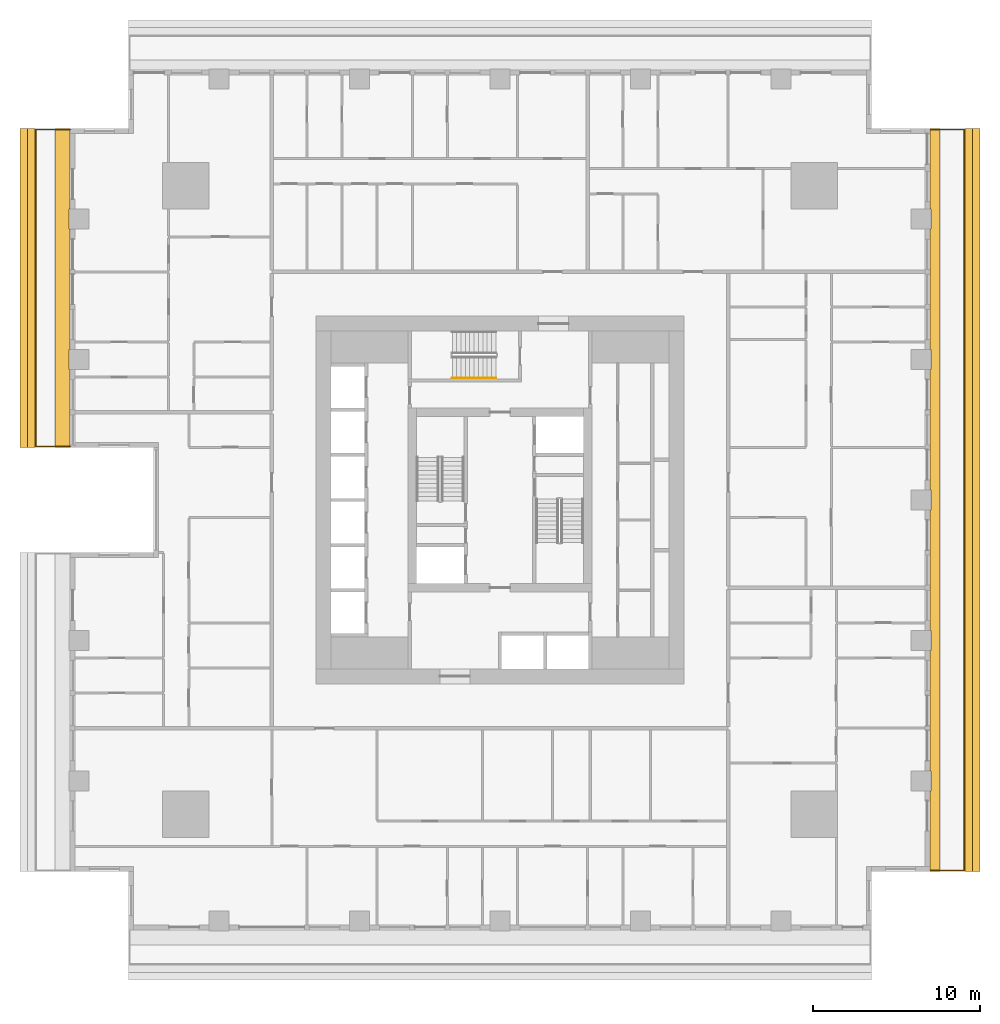
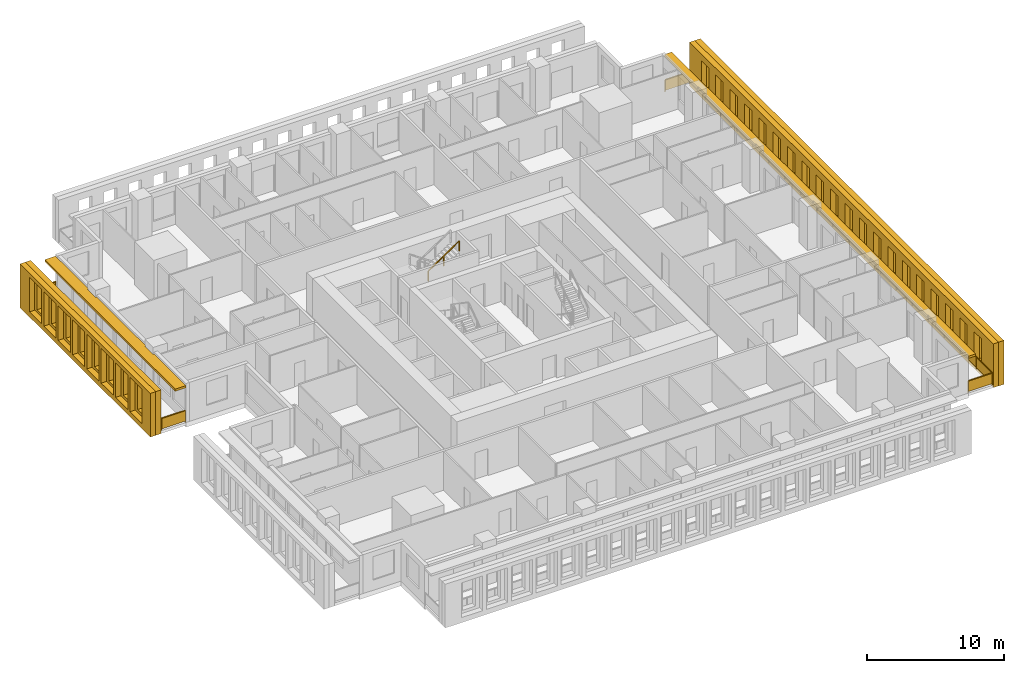
# One storey, part 13 of 15: 6 shading devices, 3 railings.
"""IFC4 building model written with IfcOpenShell, lengths in metres."""

from ifc_helpers import new_model, si_unit, direction, frame, origin, origin_2d, place, context, subcontext, project, spatial, polyline, rectangle, outline, extrude, material, layer, layer_set, type_object, element, save


model = new_model("IFC4")

# Units and contexts
model_context = context("Model", 3, precision=1e-05, world=origin(), true_north=direction((0.0, 1.0)))
body_context = subcontext(model_context, "Body", "Model", "MODEL_VIEW")
ifc_project = project(units=[si_unit("LENGTHUNIT", "METRE"), si_unit("AREAUNIT", "SQUARE_METRE"), si_unit("VOLUMEUNIT", "CUBIC_METRE"), si_unit("PLANEANGLEUNIT", "RADIAN"), si_unit("MASSUNIT", "GRAM", prefix="KILO")], contexts=[model_context])

# Site, building, storey
site_placement = place(None, origin())
site = spatial("IfcSite", under=ifc_project, at=site_placement, CompositionType="ELEMENT")
building_placement = place(site_placement, origin())
building = spatial("IfcBuilding", under=site, at=building_placement, Name="Khepri Terraces", CompositionType="ELEMENT")
storey_placement = place(building_placement, frame((0.0, 0.0, 83.10009765625)))
storey = spatial("IfcBuildingStorey", under=building, at=storey_placement, Name="L19", CompositionType="ELEMENT", Elevation=83.10009765625)

# Railings
ifc_material_1 = material(Name="Stainless steel grade 316", Category="steel")
railing_type_1 = type_object("IfcRailingType", Name="GRD-BAL-1100", PredefinedType="GUARDRAIL", material=ifc_material_1)
railing_1_placement = place(storey_placement, frame((25.719970703125, -22.169921875, 0.0)))
element("IfcRailing", 1, at=railing_1_placement, inside=storey, type_object=railing_type_1, Name="Balcony guard L19 E", PredefinedType="GUARDRAIL", context=body_context, shape_type="SweptSolid", body=[
    extrude(rectangle(XDim=0.050048828125, YDim=0.06005859375, at=origin_2d()), frame((0.0, 0.0, 1.070068359375), z_axis=(1.0, 0.0, 0.0), x_axis=(0.0, 1.0, 0.0)), (0.0, 0.0, 1.0), 2.050048828125),
    extrude(rectangle(XDim=2.0, YDim=0.011962890625, at=origin_2d()), frame((1.02490234375, 0.0, 0.10009765625), z_axis=(0.0, 0.0, 1.0), x_axis=(1.0, 0.0, 0.0)), (0.0, 0.0, 1.0), 0.93994140625),
    extrude(rectangle(XDim=0.050048828125, YDim=0.06005859375, at=origin_2d()), frame((2.050048828125, 0.0, 1.070068359375), z_axis=(0.0, 1.0, 0.0), x_axis=(-1.0, 0.0, 0.0)), (0.0, 0.0, 1.0), 44.33984375),
    extrude(rectangle(XDim=2.28369140625, YDim=0.011962890625, at=origin_2d()), frame((2.050048828125, 1.166748046875, 0.10009765625), z_axis=(0.0, 0.0, 1.0), x_axis=(0.0, 1.0, 0.0)), (0.0, 0.0, 1.0), 0.93994140625),
    extrude(rectangle(XDim=2.28369140625, YDim=0.011962890625, at=origin_2d()), frame((2.050048828125, 3.50048828125, 0.10009765625), z_axis=(0.0, 0.0, 1.0), x_axis=(0.0, 1.0, 0.0)), (0.0, 0.0, 1.0), 0.93994140625),
    extrude(rectangle(XDim=2.28369140625, YDim=0.011962890625, at=origin_2d()), frame((2.050048828125, 5.834228515625, 0.10009765625), z_axis=(0.0, 0.0, 1.0), x_axis=(0.0, 1.0, 0.0)), (0.0, 0.0, 1.0), 0.93994140625),
    extrude(rectangle(XDim=2.28369140625, YDim=0.011962890625, at=origin_2d()), frame((2.050048828125, 8.16796875, 0.10009765625), z_axis=(0.0, 0.0, 1.0), x_axis=(0.0, 1.0, 0.0)), (0.0, 0.0, 1.0), 0.93994140625),
    extrude(rectangle(XDim=2.28369140625, YDim=0.011962890625, at=origin_2d()), frame((2.050048828125, 10.50146484375, 0.10009765625), z_axis=(0.0, 0.0, 1.0), x_axis=(0.0, 1.0, 0.0)), (0.0, 0.0, 1.0), 0.93994140625),
    extrude(rectangle(XDim=2.28369140625, YDim=0.011962890625, at=origin_2d()), frame((2.050048828125, 12.835205078125, 0.10009765625), z_axis=(0.0, 0.0, 1.0), x_axis=(0.0, 1.0, 0.0)), (0.0, 0.0, 1.0), 0.93994140625),
    extrude(rectangle(XDim=2.28369140625, YDim=0.011962890625, at=origin_2d()), frame((2.050048828125, 15.1689453125, 0.10009765625), z_axis=(0.0, 0.0, 1.0), x_axis=(0.0, 1.0, 0.0)), (0.0, 0.0, 1.0), 0.93994140625),
    extrude(rectangle(XDim=2.28369140625, YDim=0.011962890625, at=origin_2d()), frame((2.050048828125, 17.502685546875, 0.10009765625), z_axis=(0.0, 0.0, 1.0), x_axis=(0.0, 1.0, 0.0)), (0.0, 0.0, 1.0), 0.93994140625),
    extrude(rectangle(XDim=2.28369140625, YDim=0.011962890625, at=origin_2d()), frame((2.050048828125, 19.836181640625, 0.10009765625), z_axis=(0.0, 0.0, 1.0), x_axis=(0.0, 1.0, 0.0)), (0.0, 0.0, 1.0), 0.93994140625),
    extrude(rectangle(XDim=2.28369140625, YDim=0.011962890625, at=origin_2d()), frame((2.050048828125, 22.169921875, 0.10009765625), z_axis=(0.0, 0.0, 1.0), x_axis=(0.0, 1.0, 0.0)), (0.0, 0.0, 1.0), 0.93994140625),
    extrude(rectangle(XDim=2.28369140625, YDim=0.011962890625, at=origin_2d()), frame((2.050048828125, 24.503662109375, 0.10009765625), z_axis=(0.0, 0.0, 1.0), x_axis=(0.0, 1.0, 0.0)), (0.0, 0.0, 1.0), 0.93994140625),
    extrude(rectangle(XDim=2.28369140625, YDim=0.011962890625, at=origin_2d()), frame((2.050048828125, 26.837158203125, 0.10009765625), z_axis=(0.0, 0.0, 1.0), x_axis=(0.0, 1.0, 0.0)), (0.0, 0.0, 1.0), 0.93994140625),
    extrude(rectangle(XDim=2.28369140625, YDim=0.011962890625, at=origin_2d()), frame((2.050048828125, 29.1708984375, 0.10009765625), z_axis=(0.0, 0.0, 1.0), x_axis=(0.0, 1.0, 0.0)), (0.0, 0.0, 1.0), 0.93994140625),
    extrude(rectangle(XDim=2.28369140625, YDim=0.011962890625, at=origin_2d()), frame((2.050048828125, 31.504638671875, 0.10009765625), z_axis=(0.0, 0.0, 1.0), x_axis=(0.0, 1.0, 0.0)), (0.0, 0.0, 1.0), 0.93994140625),
    extrude(rectangle(XDim=2.28369140625, YDim=0.011962890625, at=origin_2d()), frame((2.050048828125, 33.83837890625, 0.10009765625), z_axis=(0.0, 0.0, 1.0), x_axis=(0.0, 1.0, 0.0)), (0.0, 0.0, 1.0), 0.93994140625),
    extrude(rectangle(XDim=2.28369140625, YDim=0.011962890625, at=origin_2d()), frame((2.050048828125, 36.171875, 0.10009765625), z_axis=(0.0, 0.0, 1.0), x_axis=(0.0, 1.0, 0.0)), (0.0, 0.0, 1.0), 0.93994140625),
    extrude(rectangle(XDim=2.28369140625, YDim=0.011962890625, at=origin_2d()), frame((2.050048828125, 38.505615234375, 0.10009765625), z_axis=(0.0, 0.0, 1.0), x_axis=(0.0, 1.0, 0.0)), (0.0, 0.0, 1.0), 0.93994140625),
    extrude(rectangle(XDim=2.28369140625, YDim=0.011962890625, at=origin_2d()), frame((2.050048828125, 40.83935546875, 0.10009765625), z_axis=(0.0, 0.0, 1.0), x_axis=(0.0, 1.0, 0.0)), (0.0, 0.0, 1.0), 0.93994140625),
    extrude(rectangle(XDim=2.28369140625, YDim=0.011962890625, at=origin_2d()), frame((2.050048828125, 43.173095703125, 0.10009765625), z_axis=(0.0, 0.0, 1.0), x_axis=(0.0, 1.0, 0.0)), (0.0, 0.0, 1.0), 0.93994140625),
    extrude(rectangle(XDim=0.050048828125, YDim=0.06005859375, at=origin_2d()), frame((2.050048828125, 44.33984375, 1.070068359375), z_axis=(-1.0, 0.0, 0.0), x_axis=(0.0, -1.0, 0.0)), (0.0, 0.0, 1.0), 2.050048828125),
    extrude(rectangle(XDim=2.0, YDim=0.011962890625, at=origin_2d()), frame((1.02490234375, 44.33984375, 0.10009765625), z_axis=(0.0, 0.0, 1.0), x_axis=(-1.0, 0.0, 0.0)), (0.0, 0.0, 1.0), 0.93994140625),
    extrude(rectangle(XDim=0.050048828125, YDim=0.050048828125, at=origin_2d()), origin(), (0.0, 0.0, 1.0), 1.0400390625),
    extrude(rectangle(XDim=0.050048828125, YDim=0.050048828125, at=origin_2d()), frame((2.050048828125, 0.0, 0.0)), (0.0, 0.0, 1.0), 1.0400390625),
    extrude(rectangle(XDim=0.050048828125, YDim=0.050048828125, at=origin_2d()), frame((2.050048828125, 2.333740234375, 0.0)), (0.0, 0.0, 1.0), 1.0400390625),
    extrude(rectangle(XDim=0.050048828125, YDim=0.050048828125, at=origin_2d()), frame((2.050048828125, 4.667236328125, 0.0)), (0.0, 0.0, 1.0), 1.0400390625),
    extrude(rectangle(XDim=0.050048828125, YDim=0.050048828125, at=origin_2d()), frame((2.050048828125, 7.0009765625, 0.0)), (0.0, 0.0, 1.0), 1.0400390625),
    extrude(rectangle(XDim=0.050048828125, YDim=0.050048828125, at=origin_2d()), frame((2.050048828125, 9.334716796875, 0.0)), (0.0, 0.0, 1.0), 1.0400390625),
    extrude(rectangle(XDim=0.050048828125, YDim=0.050048828125, at=origin_2d()), frame((2.050048828125, 11.66845703125, 0.0)), (0.0, 0.0, 1.0), 1.0400390625),
    extrude(rectangle(XDim=0.050048828125, YDim=0.050048828125, at=origin_2d()), frame((2.050048828125, 14.001953125, 0.0)), (0.0, 0.0, 1.0), 1.0400390625),
    extrude(rectangle(XDim=0.050048828125, YDim=0.050048828125, at=origin_2d()), frame((2.050048828125, 16.335693359375, 0.0)), (0.0, 0.0, 1.0), 1.0400390625),
    extrude(rectangle(XDim=0.050048828125, YDim=0.050048828125, at=origin_2d()), frame((2.050048828125, 18.66943359375, 0.0)), (0.0, 0.0, 1.0), 1.0400390625),
    extrude(rectangle(XDim=0.050048828125, YDim=0.050048828125, at=origin_2d()), frame((2.050048828125, 21.003173828125, 0.0)), (0.0, 0.0, 1.0), 1.0400390625),
    extrude(rectangle(XDim=0.050048828125, YDim=0.050048828125, at=origin_2d()), frame((2.050048828125, 23.336669921875, 0.0)), (0.0, 0.0, 1.0), 1.0400390625),
    extrude(rectangle(XDim=0.050048828125, YDim=0.050048828125, at=origin_2d()), frame((2.050048828125, 25.67041015625, 0.0)), (0.0, 0.0, 1.0), 1.0400390625),
    extrude(rectangle(XDim=0.050048828125, YDim=0.050048828125, at=origin_2d()), frame((2.050048828125, 28.004150390625, 0.0)), (0.0, 0.0, 1.0), 1.0400390625),
    extrude(rectangle(XDim=0.050048828125, YDim=0.050048828125, at=origin_2d()), frame((2.050048828125, 30.337890625, 0.0)), (0.0, 0.0, 1.0), 1.0400390625),
    extrude(rectangle(XDim=0.050048828125, YDim=0.050048828125, at=origin_2d()), frame((2.050048828125, 32.67138671875, 0.0)), (0.0, 0.0, 1.0), 1.0400390625),
    extrude(rectangle(XDim=0.050048828125, YDim=0.050048828125, at=origin_2d()), frame((2.050048828125, 35.005126953125, 0.0)), (0.0, 0.0, 1.0), 1.0400390625),
    extrude(rectangle(XDim=0.050048828125, YDim=0.050048828125, at=origin_2d()), frame((2.050048828125, 37.3388671875, 0.0)), (0.0, 0.0, 1.0), 1.0400390625),
    extrude(rectangle(XDim=0.050048828125, YDim=0.050048828125, at=origin_2d()), frame((2.050048828125, 39.672607421875, 0.0)), (0.0, 0.0, 1.0), 1.0400390625),
    extrude(rectangle(XDim=0.050048828125, YDim=0.050048828125, at=origin_2d()), frame((2.050048828125, 42.006103515625, 0.0)), (0.0, 0.0, 1.0), 1.0400390625),
    extrude(rectangle(XDim=0.050048828125, YDim=0.050048828125, at=origin_2d()), frame((2.050048828125, 44.33984375, 0.0)), (0.0, 0.0, 1.0), 1.0400390625),
    extrude(rectangle(XDim=0.050048828125, YDim=0.050048828125, at=origin_2d()), frame((0.0, 44.33984375, 0.0)), (0.0, 0.0, 1.0), 1.0400390625),
])
railing_2_placement = place(storey_placement, frame((-25.719970703125, 22.169921875, 0.0)))
element("IfcRailing", 2, at=railing_2_placement, inside=storey, type_object=railing_type_1, Name="Balcony guard L19 W", PredefinedType="GUARDRAIL", context=body_context, shape_type="SweptSolid", body=[
    extrude(rectangle(XDim=0.050048828125, YDim=0.06005859375, at=origin_2d()), frame((0.0, 0.0, 1.070068359375), z_axis=(-1.0, 0.0, 0.0), x_axis=(0.0, -1.0, 0.0)), (0.0, 0.0, 1.0), 2.050048828125),
    extrude(rectangle(XDim=2.0, YDim=0.011962890625, at=origin_2d()), frame((-1.02490234375, 0.0, 0.10009765625), z_axis=(0.0, 0.0, 1.0), x_axis=(-1.0, 0.0, 0.0)), (0.0, 0.0, 1.0), 0.93994140625),
    extrude(rectangle(XDim=0.050048828125, YDim=0.06005859375, at=origin_2d()), frame((-2.050048828125, 0.0, 1.070068359375), z_axis=(0.0, -1.0, 0.0), x_axis=(1.0, 0.0, 0.0)), (0.0, 0.0, 1.0), 18.969970703125),
    extrude(rectangle(XDim=2.3212890625, YDim=0.011962890625, at=origin_2d()), frame((-2.050048828125, -1.185546875, 0.10009765625), z_axis=(0.0, 0.0, 1.0), x_axis=(0.0, -1.0, 0.0)), (0.0, 0.0, 1.0), 0.93994140625),
    extrude(rectangle(XDim=2.3212890625, YDim=0.011962890625, at=origin_2d()), frame((-2.050048828125, -3.556884765625, 0.10009765625), z_axis=(0.0, 0.0, 1.0), x_axis=(0.0, -1.0, 0.0)), (0.0, 0.0, 1.0), 0.93994140625),
    extrude(rectangle(XDim=2.3212890625, YDim=0.011962890625, at=origin_2d()), frame((-2.050048828125, -5.92822265625, 0.10009765625), z_axis=(0.0, 0.0, 1.0), x_axis=(0.0, -1.0, 0.0)), (0.0, 0.0, 1.0), 0.93994140625),
    extrude(rectangle(XDim=2.3212890625, YDim=0.011962890625, at=origin_2d()), frame((-2.050048828125, -8.29931640625, 0.10009765625), z_axis=(0.0, 0.0, 1.0), x_axis=(0.0, -1.0, 0.0)), (0.0, 0.0, 1.0), 0.93994140625),
    extrude(rectangle(XDim=2.3212890625, YDim=0.011962890625, at=origin_2d()), frame((-2.050048828125, -10.670654296875, 0.10009765625), z_axis=(0.0, 0.0, 1.0), x_axis=(0.0, -1.0, 0.0)), (0.0, 0.0, 1.0), 0.93994140625),
    extrude(rectangle(XDim=2.3212890625, YDim=0.011962890625, at=origin_2d()), frame((-2.050048828125, -13.041748046875, 0.10009765625), z_axis=(0.0, 0.0, 1.0), x_axis=(0.0, -1.0, 0.0)), (0.0, 0.0, 1.0), 0.93994140625),
    extrude(rectangle(XDim=2.3212890625, YDim=0.011962890625, at=origin_2d()), frame((-2.050048828125, -15.4130859375, 0.10009765625), z_axis=(0.0, 0.0, 1.0), x_axis=(0.0, -1.0, 0.0)), (0.0, 0.0, 1.0), 0.93994140625),
    extrude(rectangle(XDim=2.3212890625, YDim=0.011962890625, at=origin_2d()), frame((-2.050048828125, -17.784423828125, 0.10009765625), z_axis=(0.0, 0.0, 1.0), x_axis=(0.0, -1.0, 0.0)), (0.0, 0.0, 1.0), 0.93994140625),
    extrude(rectangle(XDim=0.050048828125, YDim=0.06005859375, at=origin_2d()), frame((-2.050048828125, -18.969970703125, 1.070068359375), z_axis=(1.0, 0.0, 0.0), x_axis=(0.0, 1.0, 0.0)), (0.0, 0.0, 1.0), 2.050048828125),
    extrude(rectangle(XDim=2.0, YDim=0.011962890625, at=origin_2d()), frame((-1.02490234375, -18.969970703125, 0.10009765625), z_axis=(0.0, 0.0, 1.0), x_axis=(1.0, 0.0, 0.0)), (0.0, 0.0, 1.0), 0.93994140625),
    extrude(rectangle(XDim=0.050048828125, YDim=0.050048828125, at=origin_2d()), origin(), (0.0, 0.0, 1.0), 1.0400390625),
    extrude(rectangle(XDim=0.050048828125, YDim=0.050048828125, at=origin_2d()), frame((-2.050048828125, 0.0, 0.0)), (0.0, 0.0, 1.0), 1.0400390625),
    extrude(rectangle(XDim=0.050048828125, YDim=0.050048828125, at=origin_2d()), frame((-2.050048828125, -2.371337890625, 0.0)), (0.0, 0.0, 1.0), 1.0400390625),
    extrude(rectangle(XDim=0.050048828125, YDim=0.050048828125, at=origin_2d()), frame((-2.050048828125, -4.742431640625, 0.0)), (0.0, 0.0, 1.0), 1.0400390625),
    extrude(rectangle(XDim=0.050048828125, YDim=0.050048828125, at=origin_2d()), frame((-2.050048828125, -7.11376953125, 0.0)), (0.0, 0.0, 1.0), 1.0400390625),
    extrude(rectangle(XDim=0.050048828125, YDim=0.050048828125, at=origin_2d()), frame((-2.050048828125, -9.48486328125, 0.0)), (0.0, 0.0, 1.0), 1.0400390625),
    extrude(rectangle(XDim=0.050048828125, YDim=0.050048828125, at=origin_2d()), frame((-2.050048828125, -11.856201171875, 0.0)), (0.0, 0.0, 1.0), 1.0400390625),
    extrude(rectangle(XDim=0.050048828125, YDim=0.050048828125, at=origin_2d()), frame((-2.050048828125, -14.2275390625, 0.0)), (0.0, 0.0, 1.0), 1.0400390625),
    extrude(rectangle(XDim=0.050048828125, YDim=0.050048828125, at=origin_2d()), frame((-2.050048828125, -16.5986328125, 0.0)), (0.0, 0.0, 1.0), 1.0400390625),
    extrude(rectangle(XDim=0.050048828125, YDim=0.050048828125, at=origin_2d()), frame((-2.050048828125, -18.969970703125, 0.0)), (0.0, 0.0, 1.0), 1.0400390625),
    extrude(rectangle(XDim=0.050048828125, YDim=0.050048828125, at=origin_2d()), frame((0.0, -18.969970703125, 0.0)), (0.0, 0.0, 1.0), 1.0400390625),
])
ifc_material_2 = material(Name="Stainless steel 316", Category="steel")
railing_type_2 = type_object("IfcRailingType", Name="RL-CORE-HANDRAIL", PredefinedType="HANDRAIL", material=ifc_material_2)
railing_3_placement = place(storey_placement, frame((-2.85009765625, 7.300048828125, 2.127197265625)))
element("IfcRailing", 3, at=railing_3_placement, inside=storey, type_object=railing_type_2, Name="L19 ST-3 stair handrail 2", PredefinedType="HANDRAIL", context=body_context, shape_type="SweptSolid", body=[
    extrude(rectangle(XDim=0.050048828125, YDim=0.050048828125, at=origin_2d()), frame((0.0, 0.0, 0.875), z_axis=(0.826240473404, 0.0, 0.563317565952), x_axis=(0.0, 1.0, 0.0)), (0.0, 0.0, 1.0), 3.14697265625),
    extrude(rectangle(XDim=0.050048828125, YDim=0.050048828125, at=origin_2d()), origin(), (0.0, 0.0, 1.0), 0.849853515625),
    extrude(rectangle(XDim=0.050048828125, YDim=0.050048828125, at=origin_2d()), frame((1.300048828125, 0.0, 0.88623046875)), (0.0, 0.0, 1.0), 0.849853515625),
    extrude(rectangle(XDim=0.050048828125, YDim=0.050048828125, at=origin_2d()), frame((2.60009765625, 0.0, 1.772705078125)), (0.0, 0.0, 1.0), 0.849853515625),
])

# Shading devices
ifc_material_3 = material(Name="Precast concrete C50/60 warm stone", Category="masonry")
shading_device_type_1 = type_object("IfcShadingDeviceType", Name="SCR-CELL-INNER-450", PredefinedType="USERDEFINED", material=ifc_material_3)
shading_device_1_placement = place(storey_placement, frame((27.820068359375, -22.219970703125, -0.25), z_axis=(1.0, 0.0, 0.0), x_axis=(0.0, 1.0, 0.0)))
element("IfcShadingDevice", 4, at=shading_device_1_placement, inside=storey, type_object=shading_device_type_1, Name="Cell screen L19 E in", ObjectType="SCREEN", PredefinedType="USERDEFINED", context=body_context, shape_type="SweptSolid", body=[
    extrude(outline(polyline([(0.0, 0.0), (44.43994140625, 0.0), (44.43994140625, 3.89990234375), (0.0, 3.89990234375), (0.0, 0.0)]), holes=[polyline([(1.7265625, 0.699951171875), (2.8134765625, 0.699951171875), (2.8134765625, 3.300048828125), (1.7265625, 3.300048828125), (1.7265625, 0.699951171875)]), polyline([(3.82666015625, 0.699951171875), (4.913330078125, 0.699951171875), (4.913330078125, 3.300048828125), (3.82666015625, 3.300048828125), (3.82666015625, 0.699951171875)]), polyline([(5.926513671875, 0.699951171875), (7.013427734375, 0.699951171875), (7.013427734375, 3.300048828125), (5.926513671875, 3.300048828125), (5.926513671875, 0.699951171875)]), polyline([(8.026611328125, 0.699951171875), (9.11328125, 0.699951171875), (9.11328125, 3.300048828125), (8.026611328125, 3.300048828125), (8.026611328125, 0.699951171875)]), polyline([(10.126708984375, 0.699951171875), (11.21337890625, 0.699951171875), (11.21337890625, 3.300048828125), (10.126708984375, 3.300048828125), (10.126708984375, 0.699951171875)]), polyline([(12.2265625, 0.699951171875), (13.3134765625, 0.699951171875), (13.3134765625, 3.300048828125), (12.2265625, 3.300048828125), (12.2265625, 0.699951171875)]), polyline([(14.32666015625, 0.699951171875), (15.413330078125, 0.699951171875), (15.413330078125, 3.300048828125), (14.32666015625, 3.300048828125), (14.32666015625, 0.699951171875)]), polyline([(16.426513671875, 0.699951171875), (17.513427734375, 0.699951171875), (17.513427734375, 3.300048828125), (16.426513671875, 3.300048828125), (16.426513671875, 0.699951171875)]), polyline([(18.526611328125, 0.699951171875), (19.61328125, 0.699951171875), (19.61328125, 3.300048828125), (18.526611328125, 3.300048828125), (18.526611328125, 0.699951171875)]), polyline([(20.626708984375, 0.699951171875), (21.71337890625, 0.699951171875), (21.71337890625, 3.300048828125), (20.626708984375, 3.300048828125), (20.626708984375, 0.699951171875)]), polyline([(22.7265625, 0.699951171875), (23.8134765625, 0.699951171875), (23.8134765625, 3.300048828125), (22.7265625, 3.300048828125), (22.7265625, 0.699951171875)]), polyline([(24.82666015625, 0.699951171875), (25.913330078125, 0.699951171875), (25.913330078125, 3.300048828125), (24.82666015625, 3.300048828125), (24.82666015625, 0.699951171875)]), polyline([(26.926513671875, 0.699951171875), (28.013427734375, 0.699951171875), (28.013427734375, 3.300048828125), (26.926513671875, 3.300048828125), (26.926513671875, 0.699951171875)]), polyline([(29.026611328125, 0.699951171875), (30.11328125, 0.699951171875), (30.11328125, 3.300048828125), (29.026611328125, 3.300048828125), (29.026611328125, 0.699951171875)]), polyline([(31.126708984375, 0.699951171875), (32.21337890625, 0.699951171875), (32.21337890625, 3.300048828125), (31.126708984375, 3.300048828125), (31.126708984375, 0.699951171875)]), polyline([(33.2265625, 0.699951171875), (34.3134765625, 0.699951171875), (34.3134765625, 3.300048828125), (33.2265625, 3.300048828125), (33.2265625, 0.699951171875)]), polyline([(35.32666015625, 0.699951171875), (36.413330078125, 0.699951171875), (36.413330078125, 3.300048828125), (35.32666015625, 3.300048828125), (35.32666015625, 0.699951171875)]), polyline([(37.426513671875, 0.699951171875), (38.513427734375, 0.699951171875), (38.513427734375, 3.300048828125), (37.426513671875, 3.300048828125), (37.426513671875, 0.699951171875)]), polyline([(39.526611328125, 0.699951171875), (40.61328125, 0.699951171875), (40.61328125, 3.300048828125), (39.526611328125, 3.300048828125), (39.526611328125, 0.699951171875)]), polyline([(41.626708984375, 0.699951171875), (42.71337890625, 0.699951171875), (42.71337890625, 3.300048828125), (41.626708984375, 3.300048828125), (41.626708984375, 0.699951171875)])]), origin(), (0.0, 0.0, 1.0), 0.449951171875),
])
shading_device_2_placement = place(storey_placement, frame((-27.820068359375, 22.219970703125, -0.25), z_axis=(-1.0, 0.0, 0.0), x_axis=(0.0, -1.0, 0.0)))
element("IfcShadingDevice", 5, at=shading_device_2_placement, inside=storey, type_object=shading_device_type_1, Name="Cell screen L19 W in", ObjectType="SCREEN", PredefinedType="USERDEFINED", context=body_context, shape_type="SweptSolid", body=[
    extrude(outline(polyline([(0.0, 0.0), (19.070068359375, 0.0), (19.070068359375, 3.89990234375), (0.0, 3.89990234375), (0.0, 0.0)]), holes=[polyline([(1.7265625, 0.699951171875), (2.8134765625, 0.699951171875), (2.8134765625, 3.300048828125), (1.7265625, 3.300048828125), (1.7265625, 0.699951171875)]), polyline([(3.82666015625, 0.699951171875), (4.913330078125, 0.699951171875), (4.913330078125, 3.300048828125), (3.82666015625, 3.300048828125), (3.82666015625, 0.699951171875)]), polyline([(5.926513671875, 0.699951171875), (7.013427734375, 0.699951171875), (7.013427734375, 3.300048828125), (5.926513671875, 3.300048828125), (5.926513671875, 0.699951171875)]), polyline([(8.026611328125, 0.699951171875), (9.11328125, 0.699951171875), (9.11328125, 3.300048828125), (8.026611328125, 3.300048828125), (8.026611328125, 0.699951171875)]), polyline([(10.126708984375, 0.699951171875), (11.21337890625, 0.699951171875), (11.21337890625, 3.300048828125), (10.126708984375, 3.300048828125), (10.126708984375, 0.699951171875)]), polyline([(12.2265625, 0.699951171875), (13.3134765625, 0.699951171875), (13.3134765625, 3.300048828125), (12.2265625, 3.300048828125), (12.2265625, 0.699951171875)]), polyline([(14.32666015625, 0.699951171875), (15.413330078125, 0.699951171875), (15.413330078125, 3.300048828125), (14.32666015625, 3.300048828125), (14.32666015625, 0.699951171875)]), polyline([(16.426513671875, 0.699951171875), (17.513427734375, 0.699951171875), (17.513427734375, 3.300048828125), (16.426513671875, 3.300048828125), (16.426513671875, 0.699951171875)])]), origin(), (0.0, 0.0, 1.0), 0.449951171875),
])
shading_device_type_2 = type_object("IfcShadingDeviceType", Name="SCR-CELL-OUTER-450", PredefinedType="USERDEFINED", material=ifc_material_3)
shading_device_3_placement = place(storey_placement, frame((28.27001953125, -22.219970703125, -0.25), z_axis=(1.0, 0.0, 0.0), x_axis=(0.0, 1.0, 0.0)))
element("IfcShadingDevice", 6, at=shading_device_3_placement, inside=storey, type_object=shading_device_type_2, Name="Cell screen L19 E out", ObjectType="SCREEN", PredefinedType="USERDEFINED", context=body_context, shape_type="SweptSolid", body=[
    extrude(outline(polyline([(0.0, 0.0), (44.43994140625, 0.0), (44.43994140625, 3.89990234375), (0.0, 3.89990234375), (0.0, 0.0)]), holes=[polyline([(1.376708984375, 0.449951171875), (3.163330078125, 0.449951171875), (3.163330078125, 3.550048828125), (1.376708984375, 3.550048828125), (1.376708984375, 0.449951171875)]), polyline([(3.4765625, 0.449951171875), (5.263427734375, 0.449951171875), (5.263427734375, 3.550048828125), (3.4765625, 3.550048828125), (3.4765625, 0.449951171875)]), polyline([(5.57666015625, 0.449951171875), (7.36328125, 0.449951171875), (7.36328125, 3.550048828125), (5.57666015625, 3.550048828125), (5.57666015625, 0.449951171875)]), polyline([(7.676513671875, 0.449951171875), (9.46337890625, 0.449951171875), (9.46337890625, 3.550048828125), (7.676513671875, 3.550048828125), (7.676513671875, 0.449951171875)]), polyline([(9.776611328125, 0.449951171875), (11.5634765625, 0.449951171875), (11.5634765625, 3.550048828125), (9.776611328125, 3.550048828125), (9.776611328125, 0.449951171875)]), polyline([(11.876708984375, 0.449951171875), (13.663330078125, 0.449951171875), (13.663330078125, 3.550048828125), (11.876708984375, 3.550048828125), (11.876708984375, 0.449951171875)]), polyline([(13.9765625, 0.449951171875), (15.763427734375, 0.449951171875), (15.763427734375, 3.550048828125), (13.9765625, 3.550048828125), (13.9765625, 0.449951171875)]), polyline([(16.07666015625, 0.449951171875), (17.86328125, 0.449951171875), (17.86328125, 3.550048828125), (16.07666015625, 3.550048828125), (16.07666015625, 0.449951171875)]), polyline([(18.176513671875, 0.449951171875), (19.96337890625, 0.449951171875), (19.96337890625, 3.550048828125), (18.176513671875, 3.550048828125), (18.176513671875, 0.449951171875)]), polyline([(20.276611328125, 0.449951171875), (22.0634765625, 0.449951171875), (22.0634765625, 3.550048828125), (20.276611328125, 3.550048828125), (20.276611328125, 0.449951171875)]), polyline([(22.376708984375, 0.449951171875), (24.163330078125, 0.449951171875), (24.163330078125, 3.550048828125), (22.376708984375, 3.550048828125), (22.376708984375, 0.449951171875)]), polyline([(24.4765625, 0.449951171875), (26.263427734375, 0.449951171875), (26.263427734375, 3.550048828125), (24.4765625, 3.550048828125), (24.4765625, 0.449951171875)]), polyline([(26.57666015625, 0.449951171875), (28.36328125, 0.449951171875), (28.36328125, 3.550048828125), (26.57666015625, 3.550048828125), (26.57666015625, 0.449951171875)]), polyline([(28.676513671875, 0.449951171875), (30.46337890625, 0.449951171875), (30.46337890625, 3.550048828125), (28.676513671875, 3.550048828125), (28.676513671875, 0.449951171875)]), polyline([(30.776611328125, 0.449951171875), (32.5634765625, 0.449951171875), (32.5634765625, 3.550048828125), (30.776611328125, 3.550048828125), (30.776611328125, 0.449951171875)]), polyline([(32.876708984375, 0.449951171875), (34.663330078125, 0.449951171875), (34.663330078125, 3.550048828125), (32.876708984375, 3.550048828125), (32.876708984375, 0.449951171875)]), polyline([(34.9765625, 0.449951171875), (36.763427734375, 0.449951171875), (36.763427734375, 3.550048828125), (34.9765625, 3.550048828125), (34.9765625, 0.449951171875)]), polyline([(37.07666015625, 0.449951171875), (38.86328125, 0.449951171875), (38.86328125, 3.550048828125), (37.07666015625, 3.550048828125), (37.07666015625, 0.449951171875)]), polyline([(39.176513671875, 0.449951171875), (40.96337890625, 0.449951171875), (40.96337890625, 3.550048828125), (39.176513671875, 3.550048828125), (39.176513671875, 0.449951171875)]), polyline([(41.276611328125, 0.449951171875), (43.0634765625, 0.449951171875), (43.0634765625, 3.550048828125), (41.276611328125, 3.550048828125), (41.276611328125, 0.449951171875)])]), origin(), (0.0, 0.0, 1.0), 0.449951171875),
])
shading_device_4_placement = place(storey_placement, frame((-28.27001953125, 22.219970703125, -0.25), z_axis=(-1.0, 0.0, 0.0), x_axis=(0.0, -1.0, 0.0)))
element("IfcShadingDevice", 7, at=shading_device_4_placement, inside=storey, type_object=shading_device_type_2, Name="Cell screen L19 W out", ObjectType="SCREEN", PredefinedType="USERDEFINED", context=body_context, shape_type="SweptSolid", body=[
    extrude(outline(polyline([(0.0, 0.0), (19.070068359375, 0.0), (19.070068359375, 3.89990234375), (0.0, 3.89990234375), (0.0, 0.0)]), holes=[polyline([(1.376708984375, 0.449951171875), (3.163330078125, 0.449951171875), (3.163330078125, 3.550048828125), (1.376708984375, 3.550048828125), (1.376708984375, 0.449951171875)]), polyline([(3.4765625, 0.449951171875), (5.263427734375, 0.449951171875), (5.263427734375, 3.550048828125), (3.4765625, 3.550048828125), (3.4765625, 0.449951171875)]), polyline([(5.57666015625, 0.449951171875), (7.36328125, 0.449951171875), (7.36328125, 3.550048828125), (5.57666015625, 3.550048828125), (5.57666015625, 0.449951171875)]), polyline([(7.676513671875, 0.449951171875), (9.46337890625, 0.449951171875), (9.46337890625, 3.550048828125), (7.676513671875, 3.550048828125), (7.676513671875, 0.449951171875)]), polyline([(9.776611328125, 0.449951171875), (11.5634765625, 0.449951171875), (11.5634765625, 3.550048828125), (9.776611328125, 3.550048828125), (9.776611328125, 0.449951171875)]), polyline([(11.876708984375, 0.449951171875), (13.663330078125, 0.449951171875), (13.663330078125, 3.550048828125), (11.876708984375, 3.550048828125), (11.876708984375, 0.449951171875)]), polyline([(13.9765625, 0.449951171875), (15.763427734375, 0.449951171875), (15.763427734375, 3.550048828125), (13.9765625, 3.550048828125), (13.9765625, 0.449951171875)]), polyline([(16.07666015625, 0.449951171875), (17.86328125, 0.449951171875), (17.86328125, 3.550048828125), (16.07666015625, 3.550048828125), (16.07666015625, 0.449951171875)])]), origin(), (0.0, 0.0, 1.0), 0.449951171875),
])
ifc_layer_1 = layer(ifc_material_3, 0.199951171875, Name="Precast concrete C50/60 warm stone", Category="masonry")
ifc_layer_set_1 = layer_set([ifc_layer_1], Name="Precast concrete C50/60 warm stone")
shading_device_type_3 = type_object("IfcShadingDeviceType", Name="SSH-BAND-STONE-200", PredefinedType="USERDEFINED", material=ifc_layer_set_1)
shading_device_5_placement = place(storey_placement, frame((0.0, 0.0, 3.099853515625)))
element("IfcShadingDevice", 8, at=shading_device_5_placement, inside=storey, type_object=shading_device_type_3, Name="Sunshade band L19 W", ObjectType="SUNSHADE", PredefinedType="USERDEFINED", context=body_context, shape_type="SweptSolid", body=[
    extrude(outline(polyline([(-25.719970703125, 17.39990234375), (-25.719970703125, 22.219970703125), (-26.6201171875, 22.219970703125), (-26.6201171875, 3.14990234375), (-25.719970703125, 3.14990234375), (-25.719970703125, 7.800048828125), (-25.800048828125, 7.800048828125), (-25.800048828125, 9.0), (-25.719970703125, 9.0), (-25.719970703125, 16.199951171875), (-25.800048828125, 16.199951171875), (-25.800048828125, 17.39990234375), (-25.719970703125, 17.39990234375)])), origin(), (0.0, 0.0, 1.0), 0.199951171875),
])
ifc_layer_2 = layer(ifc_material_3, 0.199951171875, Name="Precast concrete C50/60 warm stone", Category="masonry")
ifc_layer_set_2 = layer_set([ifc_layer_2], Name="Precast concrete C50/60 warm stone")
shading_device_type_4 = type_object("IfcShadingDeviceType", Name="SSH-BAND-STONE-200-N", PredefinedType="USERDEFINED", material=ifc_layer_set_2)
shading_device_6_placement = place(storey_placement, frame((0.0, 0.0, 3.099853515625)))
element("IfcShadingDevice", 9, at=shading_device_6_placement, inside=storey, type_object=shading_device_type_4, Name="Sunshade band L19 E", ObjectType="SUNSHADE", PredefinedType="USERDEFINED", context=body_context, shape_type="SweptSolid", body=[
    extrude(outline(polyline([(25.719970703125, -17.39990234375), (25.719970703125, -22.219970703125), (26.320068359375, -22.219970703125), (26.320068359375, 22.219970703125), (25.719970703125, 22.219970703125), (25.719970703125, 17.39990234375), (25.800048828125, 17.39990234375), (25.800048828125, 16.199951171875), (25.719970703125, 16.199951171875), (25.719970703125, 9.0), (25.800048828125, 9.0), (25.800048828125, 7.800048828125), (25.719970703125, 7.800048828125), (25.719970703125, 0.60009765625), (25.800048828125, 0.60009765625), (25.800048828125, -0.60009765625), (25.719970703125, -0.60009765625), (25.719970703125, -7.800048828125), (25.800048828125, -7.800048828125), (25.800048828125, -9.0), (25.719970703125, -9.0), (25.719970703125, -16.199951171875), (25.800048828125, -16.199951171875), (25.800048828125, -17.39990234375), (25.719970703125, -17.39990234375)])), origin(), (0.0, 0.0, 1.0), 0.199951171875),
])

save(model, "model.ifc")
